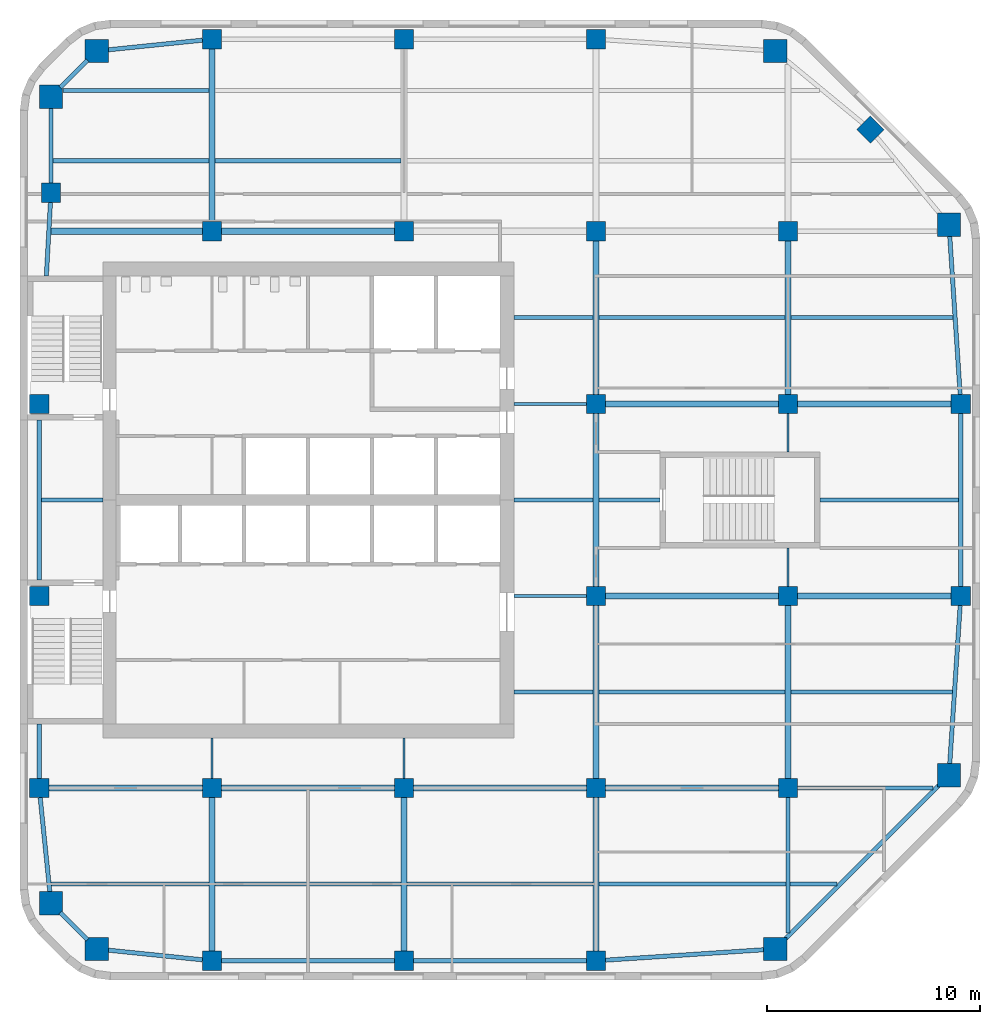
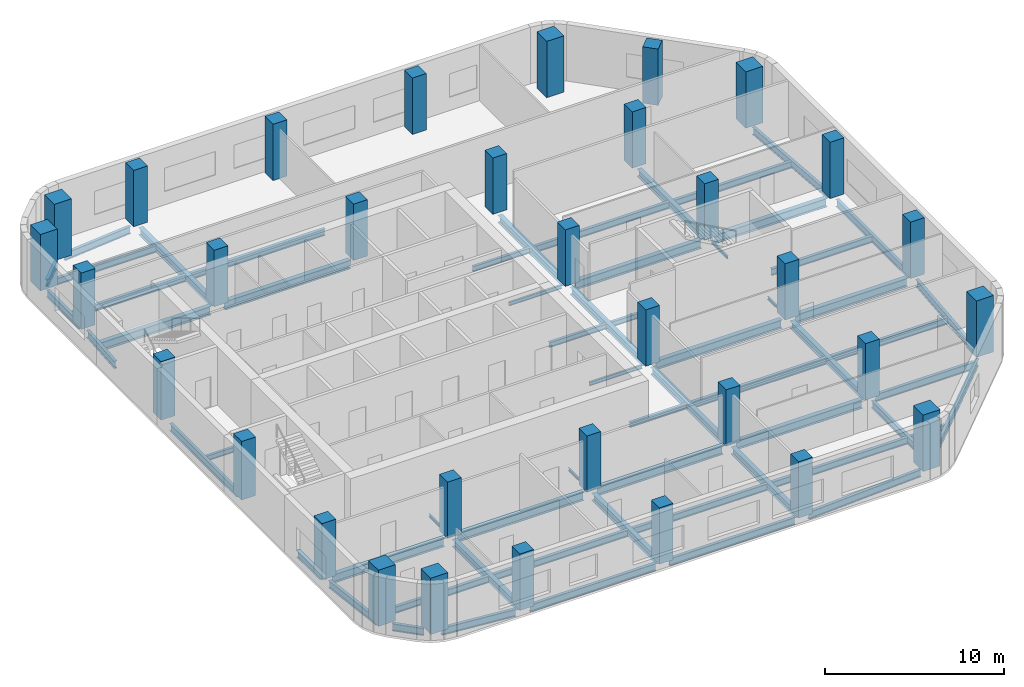
# One storey, part 1 of 8: 61 beams, 33 columns.
"""IFC4 building model written with IfcOpenShell, lengths in metres."""

from ifc_helpers import new_model, si_unit, direction, frame, origin, origin_2d, place, context, subcontext, project, spatial, rectangle, i_section, extrude, material, material_profile, profile_set, type_object, element, save


model = new_model("IFC4")

# Units and contexts
model_context = context("Model", 3, precision=1e-05, world=origin(), true_north=direction((0.0, 1.0)))
body_context = subcontext(model_context, "Body", "Model", "MODEL_VIEW")
ifc_project = project(units=[si_unit("LENGTHUNIT", "METRE"), si_unit("AREAUNIT", "SQUARE_METRE"), si_unit("VOLUMEUNIT", "CUBIC_METRE"), si_unit("PLANEANGLEUNIT", "RADIAN"), si_unit("MASSUNIT", "GRAM", prefix="KILO")], contexts=[model_context])

# Site, building, storey
site_placement = place(None, origin())
site = spatial("IfcSite", under=ifc_project, at=site_placement, CompositionType="ELEMENT")
building_placement = place(site_placement, origin())
building = spatial("IfcBuilding", under=site, at=building_placement, Name="Cinnabar Reach Civic Tower", CompositionType="ELEMENT")
storey_placement = place(building_placement, frame((0.0, 0.0, 181.0)))
storey = spatial("IfcBuildingStorey", under=building, at=storey_placement, Name="L43", CompositionType="ELEMENT", Elevation=181.0)

# Columns
ifc_material_1 = material(Name="Concrete C80", Category="concrete")
ifc_material_profile_1 = material_profile(ifc_material_1, rectangle(XDim=1.1, YDim=1.1, at=origin_2d()), Name="RC1100")
ifc_profile_set_1 = profile_set([ifc_material_profile_1], Name="Concrete C80")
column_type_1 = type_object("IfcColumnType", Name="RC1100 column R 240", PredefinedType="COLUMN", material=ifc_profile_set_1)
for number, where, z_axis, x_axis, name in (
    (1, (3.6019, 10.4531, 0.0), (0.0, 0.0, 1.0), (1.0, 0.0, 0.0), "Column T1-Z3-CC0"),
    (2, (35.3981, 10.4531, 0.0), (0.0, 0.0, 1.0), (1.0, 0.0, 0.0), "Column T1-Z3-CC1"),
    (3, (43.5469, 18.6019, 0.0), (0.0, 0.0, 1.0), (1.0, 0.0, 0.0), "Column T1-Z3-CC2"),
    (4, (43.5469, 44.3981, 0.0), (0.0, 0.0, 1.0), (1.0, 0.0, 0.0), "Column T1-Z3-CC3"),
    (5, (35.3981, 52.5469, 0.0), (0.0, 0.0, 1.0), (1.0, 0.0, 0.0), "Column T1-Z3-CC4"),
    (6, (3.6019, 52.5469, 0.0), (0.0, 0.0, 1.0), (1.0, 0.0, 0.0), "Column T1-Z3-CC5"),
    (7, (1.4531, 50.3981, 0.0), (0.0, 0.0, 1.0), (1.0, 0.0, 0.0), "Column T1-Z3-CC6"),
    (8, (1.4531, 12.6019, 0.0), (0.0, 0.0, 1.0), (1.0, 0.0, 0.0), "Column T1-Z3-CC7"),
):
    element("IfcColumn", number, at=place(storey_placement, frame(where, z_axis=z_axis, x_axis=x_axis)), inside=storey, type_object=column_type_1, Name=name, PredefinedType="COLUMN", context=body_context, shape_type="SweptSolid", body=[
        extrude(rectangle(XDim=1.1, YDim=1.1, at=origin_2d()), origin(), (0.0, 0.0, 1.0), 3.85),
    ])
ifc_material_2 = material(Name="Concrete C70", Category="concrete")
ifc_material_profile_2 = material_profile(ifc_material_2, rectangle(XDim=0.9, YDim=0.9, at=origin_2d()), Name="RC900")
ifc_profile_set_2 = profile_set([ifc_material_profile_2], Name="Concrete C70")
column_type_2 = type_object("IfcColumnType", Name="RC900 column R 240", PredefinedType="COLUMN", material=ifc_profile_set_2)
for number, where, z_axis, x_axis, name in (
    (9, (9.0, 9.9, 0.0), (0.0, 0.0, 1.0), (1.0, 0.0, 0.0), "Column T1-Z3-F0-1"),
    (10, (18.0, 9.9, 0.0), (0.0, 0.0, 1.0), (1.0, 0.0, 0.0), "Column T1-Z3-F0-2"),
    (11, (27.0, 9.9, 0.0), (0.0, 0.0, 1.0), (1.0, 0.0, 0.0), "Column T1-Z3-F0-3"),
    (12, (44.1, 27.0, 0.0), (0.0, 0.0, 1.0), (1.0, 0.0, 0.0), "Column T1-Z3-F2-3"),
    (13, (44.1, 36.0, 0.0), (0.0, 0.0, 1.0), (1.0, 0.0, 0.0), "Column T1-Z3-F2-4"),
    (14, (39.8636, 48.8636, 0.0), (0.0, 0.0, 1.0), (0.707106781187, 0.707106781187, 0.0), "Column T1-Z3-F3-M"),
    (15, (9.0, 53.1, 0.0), (0.0, 0.0, 1.0), (1.0, 0.0, 0.0), "Column T1-Z3-F4-1"),
    (16, (18.0, 53.1, 0.0), (0.0, 0.0, 1.0), (1.0, 0.0, 0.0), "Column T1-Z3-F4-2"),
    (17, (27.0, 53.1, 0.0), (0.0, 0.0, 1.0), (1.0, 0.0, 0.0), "Column T1-Z3-F4-3"),
    (18, (0.9, 18.0, 0.0), (0.0, 0.0, 1.0), (1.0, 0.0, 0.0), "Column T1-Z3-F6-2"),
):
    element("IfcColumn", number, at=place(storey_placement, frame(where, z_axis=z_axis, x_axis=x_axis)), inside=storey, type_object=column_type_2, Name=name, PredefinedType="COLUMN", context=body_context, shape_type="SweptSolid", body=[
        extrude(rectangle(XDim=0.9, YDim=0.9, at=origin_2d()), origin(), (0.0, 0.0, 1.0), 3.85),
    ])
for number, where, z_axis, x_axis, name in (
    (19, (0.9, 27.0, 0.0), (0.0, 0.0, 1.0), (1.0, 0.0, 0.0), "Column T1-Z3-F6-3"),
    (20, (0.9, 36.0, 0.0), (0.0, 0.0, 1.0), (1.0, 0.0, 0.0), "Column T1-Z3-F6-4"),
):
    element("IfcColumn", number, at=place(storey_placement, frame(where, z_axis=z_axis, x_axis=x_axis)), inside=storey, type_object=column_type_2, Name=name, PredefinedType="COLUMN", context=body_context, shape_type="SweptSolid", body=[
        extrude(rectangle(XDim=0.9, YDim=0.9, at=origin_2d()), origin(), (0.0, 0.0, 1.0), 4.0),
    ])
for number, where, z_axis, x_axis, name in (
    (21, (1.4531, 45.8981, 0.0), (0.0, 0.0, 1.0), (1.0, 0.0, 0.0), "Column T1-Z3-F6-5"),
    (22, (9.0, 18.0, 0.0), (0.0, 0.0, 1.0), (1.0, 0.0, 0.0), "Column T1-Z3-I9_18"),
    (23, (9.0, 44.1, 0.0), (0.0, 0.0, 1.0), (1.0, 0.0, 0.0), "Column T1-Z3-I9_45"),
    (24, (18.0, 18.0, 0.0), (0.0, 0.0, 1.0), (1.0, 0.0, 0.0), "Column T1-Z3-I18_18"),
    (25, (18.0, 44.1, 0.0), (0.0, 0.0, 1.0), (1.0, 0.0, 0.0), "Column T1-Z3-I18_45"),
    (26, (27.0, 18.0, 0.0), (0.0, 0.0, 1.0), (1.0, 0.0, 0.0), "Column T1-Z3-I27_18"),
    (27, (27.0, 27.0, 0.0), (0.0, 0.0, 1.0), (1.0, 0.0, 0.0), "Column T1-Z3-I27_27"),
    (28, (27.0, 36.0, 0.0), (0.0, 0.0, 1.0), (1.0, 0.0, 0.0), "Column T1-Z3-I27_36"),
    (29, (27.0, 44.1, 0.0), (0.0, 0.0, 1.0), (1.0, 0.0, 0.0), "Column T1-Z3-I27_45"),
    (30, (36.0, 18.0, 0.0), (0.0, 0.0, 1.0), (1.0, 0.0, 0.0), "Column T1-Z3-I36_18"),
    (31, (36.0, 27.0, 0.0), (0.0, 0.0, 1.0), (1.0, 0.0, 0.0), "Column T1-Z3-I36_27"),
    (32, (36.0, 36.0, 0.0), (0.0, 0.0, 1.0), (1.0, 0.0, 0.0), "Column T1-Z3-I36_36"),
    (33, (36.0, 44.1, 0.0), (0.0, 0.0, 1.0), (1.0, 0.0, 0.0), "Column T1-Z3-I36_45"),
):
    element("IfcColumn", number, at=place(storey_placement, frame(where, z_axis=z_axis, x_axis=x_axis)), inside=storey, type_object=column_type_2, Name=name, PredefinedType="COLUMN", context=body_context, shape_type="SweptSolid", body=[
        extrude(rectangle(XDim=0.9, YDim=0.9, at=origin_2d()), origin(), (0.0, 0.0, 1.0), 3.85),
    ])

# Beams
ifc_material_3 = material(Name="Steel Q355B", Category="steel")
ifc_material_profile_3 = material_profile(ifc_material_3, i_section(OverallWidth=0.3, OverallDepth=0.488, WebThickness=0.011, FlangeThickness=0.018, FilletRadius=0.016, at=origin_2d()), Name="HM488x300x11x18")
ifc_profile_set_3 = profile_set([ifc_material_profile_3], Name="Steel Q355B")
beam_type_1 = type_object("IfcBeamType", Name="HM488x300x11x18 beam R 180", PredefinedType="BEAM", material=ifc_profile_set_3)
beam_1_placement = place(storey_placement, frame((9.0, 10.352, -0.394), z_axis=(0.0, 1.0, 0.0), x_axis=(-1.0, 0.0, 0.0)))
element("IfcBeam", 34, at=beam_1_placement, inside=storey, type_object=beam_type_1, Name="Girder T1 L43 1", PredefinedType="BEAM", context=body_context, shape_type="SweptSolid", body=[
    extrude(i_section(OverallWidth=0.3, OverallDepth=0.488, WebThickness=0.011, FlangeThickness=0.018, FilletRadius=0.016, at=origin_2d()), origin(), (0.0, 0.0, 1.0), 7.196),
])
beam_2_placement = place(storey_placement, frame((9.0, 44.552, -0.394), z_axis=(0.0, 1.0, 0.0), x_axis=(-1.0, 0.0, 0.0)))
element("IfcBeam", 35, at=beam_2_placement, inside=storey, type_object=beam_type_1, Name="Girder T1 L43 3", PredefinedType="BEAM", context=body_context, shape_type="SweptSolid", body=[
    extrude(i_section(OverallWidth=0.3, OverallDepth=0.488, WebThickness=0.011, FlangeThickness=0.018, FilletRadius=0.016, at=origin_2d()), origin(), (0.0, 0.0, 1.0), 8.096),
])
for number, where, z_axis, x_axis, name in (
    (36, (18.0, 10.352, -0.394), (0.0, 1.0, 0.0), (-1.0, 0.0, 0.0), "Girder T1 L43 4"),
    (37, (27.0, 10.352, -0.394), (0.0, 1.0, 0.0), (-1.0, 0.0, 0.0), "Girder T1 L43 7"),
):
    element("IfcBeam", number, at=place(storey_placement, frame(where, z_axis=z_axis, x_axis=x_axis)), inside=storey, type_object=beam_type_1, Name=name, PredefinedType="BEAM", context=body_context, shape_type="SweptSolid", body=[
        extrude(i_section(OverallWidth=0.3, OverallDepth=0.488, WebThickness=0.011, FlangeThickness=0.018, FilletRadius=0.016, at=origin_2d()), origin(), (0.0, 0.0, 1.0), 7.196),
    ])
for number, where, z_axis, x_axis, name in (
    (38, (27.0, 18.452, -0.394), (0.0, 1.0, 0.0), (-1.0, 0.0, 0.0), "Girder T1 L43 8"),
    (39, (27.0, 27.452, -0.394), (0.0, 1.0, 0.0), (-1.0, 0.0, 0.0), "Girder T1 L43 9"),
):
    element("IfcBeam", number, at=place(storey_placement, frame(where, z_axis=z_axis, x_axis=x_axis)), inside=storey, type_object=beam_type_1, Name=name, PredefinedType="BEAM", context=body_context, shape_type="SweptSolid", body=[
        extrude(i_section(OverallWidth=0.3, OverallDepth=0.488, WebThickness=0.011, FlangeThickness=0.018, FilletRadius=0.016, at=origin_2d()), origin(), (0.0, 0.0, 1.0), 8.096),
    ])
beam_3_placement = place(storey_placement, frame((27.0, 36.452, -0.394), z_axis=(0.0, 1.0, 0.0), x_axis=(-1.0, 0.0, 0.0)))
element("IfcBeam", 40, at=beam_3_placement, inside=storey, type_object=beam_type_1, Name="Girder T1 L43 10", PredefinedType="BEAM", context=body_context, shape_type="SweptSolid", body=[
    extrude(i_section(OverallWidth=0.3, OverallDepth=0.488, WebThickness=0.011, FlangeThickness=0.018, FilletRadius=0.016, at=origin_2d()), origin(), (0.0, 0.0, 1.0), 7.196),
])
beam_4_placement = place(storey_placement, frame((36.0, 18.452, -0.394), z_axis=(0.0, 1.0, 0.0), x_axis=(-1.0, 0.0, 0.0)))
element("IfcBeam", 41, at=beam_4_placement, inside=storey, type_object=beam_type_1, Name="Girder T1 L43 13", PredefinedType="BEAM", context=body_context, shape_type="SweptSolid", body=[
    extrude(i_section(OverallWidth=0.3, OverallDepth=0.488, WebThickness=0.011, FlangeThickness=0.018, FilletRadius=0.016, at=origin_2d()), origin(), (0.0, 0.0, 1.0), 8.096),
])
beam_5_placement = place(storey_placement, frame((36.0, 36.452, -0.394), z_axis=(0.0, 1.0, 0.0), x_axis=(-1.0, 0.0, 0.0)))
element("IfcBeam", 42, at=beam_5_placement, inside=storey, type_object=beam_type_1, Name="Girder T1 L43 16", PredefinedType="BEAM", context=body_context, shape_type="SweptSolid", body=[
    extrude(i_section(OverallWidth=0.3, OverallDepth=0.488, WebThickness=0.011, FlangeThickness=0.018, FilletRadius=0.016, at=origin_2d()), origin(), (0.0, 0.0, 1.0), 7.196),
])
ifc_material_profile_4 = material_profile(ifc_material_3, i_section(OverallWidth=0.3, OverallDepth=0.588, WebThickness=0.012, FlangeThickness=0.02, FilletRadius=0.016, at=origin_2d()), Name="HM588x300x12x20")
ifc_profile_set_4 = profile_set([ifc_material_profile_4], Name="Steel Q355B")
beam_type_2 = type_object("IfcBeamType", Name="HM588x300x12x20 beam R 180", PredefinedType="BEAM", material=ifc_profile_set_4)
beam_6_placement = place(storey_placement, frame((1.352, 18.0, -0.444), z_axis=(1.0, 0.0, 0.0), x_axis=(0.0, 1.0, 0.0)))
element("IfcBeam", 43, at=beam_6_placement, inside=storey, type_object=beam_type_2, Name="Girder T1 L43 1", PredefinedType="BEAM", context=body_context, shape_type="SweptSolid", body=[
    extrude(i_section(OverallWidth=0.3, OverallDepth=0.588, WebThickness=0.012, FlangeThickness=0.02, FilletRadius=0.016, at=origin_2d()), origin(), (0.0, 0.0, 1.0), 7.196),
])
for number, where, z_axis, x_axis, name in (
    (44, (9.452, 18.0, -0.444), (1.0, 0.0, 0.0), (0.0, 1.0, 0.0), "Girder T1 L43 2"),
    (45, (18.452, 18.0, -0.444), (1.0, 0.0, 0.0), (0.0, 1.0, 0.0), "Girder T1 L43 3"),
    (46, (27.452, 18.0, -0.444), (1.0, 0.0, 0.0), (0.0, 1.0, 0.0), "Girder T1 L43 4"),
    (47, (27.452, 27.0, -0.444), (1.0, 0.0, 0.0), (0.0, 1.0, 0.0), "Girder T1 L43 7"),
):
    element("IfcBeam", number, at=place(storey_placement, frame(where, z_axis=z_axis, x_axis=x_axis)), inside=storey, type_object=beam_type_2, Name=name, PredefinedType="BEAM", context=body_context, shape_type="SweptSolid", body=[
        extrude(i_section(OverallWidth=0.3, OverallDepth=0.588, WebThickness=0.012, FlangeThickness=0.02, FilletRadius=0.016, at=origin_2d()), origin(), (0.0, 0.0, 1.0), 8.096),
    ])
beam_7_placement = place(storey_placement, frame((36.452, 27.0, -0.444), z_axis=(1.0, 0.0, 0.0), x_axis=(0.0, 1.0, 0.0)))
element("IfcBeam", 48, at=beam_7_placement, inside=storey, type_object=beam_type_2, Name="Girder T1 L43 8", PredefinedType="BEAM", context=body_context, shape_type="SweptSolid", body=[
    extrude(i_section(OverallWidth=0.3, OverallDepth=0.588, WebThickness=0.012, FlangeThickness=0.02, FilletRadius=0.016, at=origin_2d()), origin(), (0.0, 0.0, 1.0), 7.196),
])
beam_8_placement = place(storey_placement, frame((27.452, 36.0, -0.444), z_axis=(1.0, 0.0, 0.0), x_axis=(0.0, 1.0, 0.0)))
element("IfcBeam", 49, at=beam_8_placement, inside=storey, type_object=beam_type_2, Name="Girder T1 L43 10", PredefinedType="BEAM", context=body_context, shape_type="SweptSolid", body=[
    extrude(i_section(OverallWidth=0.3, OverallDepth=0.588, WebThickness=0.012, FlangeThickness=0.02, FilletRadius=0.016, at=origin_2d()), origin(), (0.0, 0.0, 1.0), 8.096),
])
beam_9_placement = place(storey_placement, frame((36.452, 36.0, -0.444), z_axis=(1.0, 0.0, 0.0), x_axis=(0.0, 1.0, 0.0)))
element("IfcBeam", 50, at=beam_9_placement, inside=storey, type_object=beam_type_2, Name="Girder T1 L43 11", PredefinedType="BEAM", context=body_context, shape_type="SweptSolid", body=[
    extrude(i_section(OverallWidth=0.3, OverallDepth=0.588, WebThickness=0.012, FlangeThickness=0.02, FilletRadius=0.016, at=origin_2d()), origin(), (0.0, 0.0, 1.0), 7.196),
])
beam_10_placement = place(storey_placement, frame((1.4548, 44.1, -0.444), z_axis=(1.0, 0.0, 0.0), x_axis=(0.0, 1.0, 0.0)))
element("IfcBeam", 51, at=beam_10_placement, inside=storey, type_object=beam_type_2, Name="Girder T1 L43 12", PredefinedType="BEAM", context=body_context, shape_type="SweptSolid", body=[
    extrude(i_section(OverallWidth=0.3, OverallDepth=0.588, WebThickness=0.012, FlangeThickness=0.02, FilletRadius=0.016, at=origin_2d()), origin(), (0.0, 0.0, 1.0), 7.0932),
])
beam_11_placement = place(storey_placement, frame((9.452, 44.1, -0.444), z_axis=(1.0, 0.0, 0.0), x_axis=(0.0, 1.0, 0.0)))
element("IfcBeam", 52, at=beam_11_placement, inside=storey, type_object=beam_type_2, Name="Girder T1 L43 13", PredefinedType="BEAM", context=body_context, shape_type="SweptSolid", body=[
    extrude(i_section(OverallWidth=0.3, OverallDepth=0.588, WebThickness=0.012, FlangeThickness=0.02, FilletRadius=0.016, at=origin_2d()), origin(), (0.0, 0.0, 1.0), 8.096),
])
ifc_material_profile_5 = material_profile(ifc_material_3, i_section(OverallWidth=0.099, OverallDepth=0.198, WebThickness=0.0045, FlangeThickness=0.007, FilletRadius=0.013, at=origin_2d()), Name="HN200x100x5.5x8")
ifc_profile_set_5 = profile_set([ifc_material_profile_5], Name="Steel Q355B")
beam_type_3 = type_object("IfcBeamType", Name="HN200x100x5.5x8 beam R 180", PredefinedType="BEAM", material=ifc_profile_set_5)
for number, where, z_axis, x_axis, name in (
    (53, (9.0, 18.452, -0.249), (0.0, 1.0, 0.0), (-1.0, 0.0, 0.0), "Girder T1 L43 2"),
    (54, (18.0, 18.452, -0.249), (0.0, 1.0, 0.0), (-1.0, 0.0, 0.0), "Girder T1 L43 5"),
):
    element("IfcBeam", number, at=place(storey_placement, frame(where, z_axis=z_axis, x_axis=x_axis)), inside=storey, type_object=beam_type_3, Name=name, PredefinedType="BEAM", context=body_context, shape_type="SweptSolid", body=[
        extrude(i_section(OverallWidth=0.099, OverallDepth=0.198, WebThickness=0.0045, FlangeThickness=0.007, FilletRadius=0.013, at=origin_2d()), origin(), (0.0, 0.0, 1.0), 1.896),
    ])
for number, where, z_axis, x_axis, name in (
    (55, (36.0, 27.452, -0.249), (0.0, 1.0, 0.0), (-1.0, 0.0, 0.0), "Girder T1 L43 14"),
    (56, (36.0, 33.752, -0.249), (0.0, 1.0, 0.0), (-1.0, 0.0, 0.0), "Girder T1 L43 15"),
):
    element("IfcBeam", number, at=place(storey_placement, frame(where, z_axis=z_axis, x_axis=x_axis)), inside=storey, type_object=beam_type_3, Name=name, PredefinedType="BEAM", context=body_context, shape_type="SweptSolid", body=[
        extrude(i_section(OverallWidth=0.099, OverallDepth=0.198, WebThickness=0.0045, FlangeThickness=0.007, FilletRadius=0.013, at=origin_2d()), origin(), (0.0, 0.0, 1.0), 1.796),
    ])
ifc_material_profile_6 = material_profile(ifc_material_3, i_section(OverallWidth=0.124, OverallDepth=0.248, WebThickness=0.005, FlangeThickness=0.008, FilletRadius=0.013, at=origin_2d()), Name="HN250x125x6x9")
ifc_profile_set_6 = profile_set([ifc_material_profile_6], Name="Steel Q355B")
beam_type_4 = type_object("IfcBeamType", Name="HN250x125x6x9 beam R 180", PredefinedType="BEAM", material=ifc_profile_set_6)
for number, where, z_axis, x_axis, name in (
    (57, (23.152, 27.0, -0.274), (1.0, 0.0, 0.0), (0.0, 1.0, 0.0), "Girder T1 L43 6"),
    (58, (23.152, 36.0, -0.274), (1.0, 0.0, 0.0), (0.0, 1.0, 0.0), "Girder T1 L43 9"),
):
    element("IfcBeam", number, at=place(storey_placement, frame(where, z_axis=z_axis, x_axis=x_axis)), inside=storey, type_object=beam_type_4, Name=name, PredefinedType="BEAM", context=body_context, shape_type="SweptSolid", body=[
        extrude(i_section(OverallWidth=0.124, OverallDepth=0.248, WebThickness=0.005, FlangeThickness=0.008, FilletRadius=0.013, at=origin_2d()), origin(), (0.0, 0.0, 1.0), 3.396),
    ])
ifc_material_profile_7 = material_profile(ifc_material_3, i_section(OverallWidth=0.175, OverallDepth=0.35, WebThickness=0.007, FlangeThickness=0.011, FilletRadius=0.013, at=origin_2d()), Name="HN350x175x7x11")
ifc_profile_set_7 = profile_set([ifc_material_profile_7], Name="Steel Q355B")
beam_type_5 = type_object("IfcBeamType", Name="HN350x175x7x11 beam R 180", PredefinedType="BEAM", material=ifc_profile_set_7)
beam_12_placement = place(storey_placement, frame((36.102, 13.5, -0.325), z_axis=(1.0, 0.0, 0.0), x_axis=(0.0, 1.0, 0.0)))
element("IfcBeam", 59, at=beam_12_placement, inside=storey, type_object=beam_type_5, Name="Secondary beam T1 L43 5", PredefinedType="BEAM", context=body_context, shape_type="SweptSolid", body=[
    extrude(i_section(OverallWidth=0.175, OverallDepth=0.35, WebThickness=0.007, FlangeThickness=0.011, FilletRadius=0.013, at=origin_2d()), origin(), (0.0, 0.0, 1.0), 2.1988),
])
beam_13_placement = place(storey_placement, frame((23.152, 22.5, -0.325), z_axis=(1.0, 0.0, 0.0), x_axis=(0.0, 1.0, 0.0)))
element("IfcBeam", 60, at=beam_13_placement, inside=storey, type_object=beam_type_5, Name="Secondary beam T1 L43 6", PredefinedType="BEAM", context=body_context, shape_type="SweptSolid", body=[
    extrude(i_section(OverallWidth=0.175, OverallDepth=0.35, WebThickness=0.007, FlangeThickness=0.011, FilletRadius=0.013, at=origin_2d()), origin(), (0.0, 0.0, 1.0), 3.696),
])
beam_14_placement = place(storey_placement, frame((1.002, 31.5, -0.325), z_axis=(1.0, 0.0, 0.0), x_axis=(0.0, 1.0, 0.0)))
element("IfcBeam", 61, at=beam_14_placement, inside=storey, type_object=beam_type_5, Name="Secondary beam T1 L43 9", PredefinedType="BEAM", context=body_context, shape_type="SweptSolid", body=[
    extrude(i_section(OverallWidth=0.175, OverallDepth=0.35, WebThickness=0.007, FlangeThickness=0.011, FilletRadius=0.013, at=origin_2d()), origin(), (0.0, 0.0, 1.0), 2.896),
])
beam_15_placement = place(storey_placement, frame((23.152, 31.5, -0.325), z_axis=(1.0, 0.0, 0.0), x_axis=(0.0, 1.0, 0.0)))
element("IfcBeam", 62, at=beam_15_placement, inside=storey, type_object=beam_type_5, Name="Secondary beam T1 L43 10", PredefinedType="BEAM", context=body_context, shape_type="SweptSolid", body=[
    extrude(i_section(OverallWidth=0.175, OverallDepth=0.35, WebThickness=0.007, FlangeThickness=0.011, FilletRadius=0.013, at=origin_2d()), origin(), (0.0, 0.0, 1.0), 3.696),
])
beam_16_placement = place(storey_placement, frame((27.152, 31.5, -0.325), z_axis=(1.0, 0.0, 0.0), x_axis=(0.0, 1.0, 0.0)))
element("IfcBeam", 63, at=beam_16_placement, inside=storey, type_object=beam_type_5, Name="Secondary beam T1 L43 11", PredefinedType="BEAM", context=body_context, shape_type="SweptSolid", body=[
    extrude(i_section(OverallWidth=0.175, OverallDepth=0.35, WebThickness=0.007, FlangeThickness=0.011, FilletRadius=0.013, at=origin_2d()), origin(), (0.0, 0.0, 1.0), 2.846),
])
beam_17_placement = place(storey_placement, frame((23.152, 40.05, -0.325), z_axis=(1.0, 0.0, 0.0), x_axis=(0.0, 1.0, 0.0)))
element("IfcBeam", 64, at=beam_17_placement, inside=storey, type_object=beam_type_5, Name="Secondary beam T1 L43 13", PredefinedType="BEAM", context=body_context, shape_type="SweptSolid", body=[
    extrude(i_section(OverallWidth=0.175, OverallDepth=0.35, WebThickness=0.007, FlangeThickness=0.011, FilletRadius=0.013, at=origin_2d()), origin(), (0.0, 0.0, 1.0), 3.696),
])
ifc_material_profile_8 = material_profile(ifc_material_3, i_section(OverallWidth=0.2, OverallDepth=0.45, WebThickness=0.009, FlangeThickness=0.014, FilletRadius=0.016, at=origin_2d()), Name="HN450x200x9x14")
ifc_profile_set_8 = profile_set([ifc_material_profile_8], Name="Steel Q355B")
beam_type_6 = type_object("IfcBeamType", Name="HN450x200x9x14 beam R 180", PredefinedType="BEAM", material=ifc_profile_set_8)
beam_18_placement = place(storey_placement, frame((1.4636, 13.5, -0.375), z_axis=(1.0, 0.0, 0.0), x_axis=(0.0, 1.0, 0.0)))
element("IfcBeam", 65, at=beam_18_placement, inside=storey, type_object=beam_type_6, Name="Secondary beam T1 L43 1", PredefinedType="BEAM", context=body_context, shape_type="SweptSolid", body=[
    extrude(i_section(OverallWidth=0.2, OverallDepth=0.45, WebThickness=0.009, FlangeThickness=0.014, FilletRadius=0.016, at=origin_2d()), origin(), (0.0, 0.0, 1.0), 7.3844),
])
for number, where, z_axis, x_axis, name in (
    (66, (9.152, 13.5, -0.375), (1.0, 0.0, 0.0), (0.0, 1.0, 0.0), "Secondary beam T1 L43 2"),
    (67, (18.152, 13.5, -0.375), (1.0, 0.0, 0.0), (0.0, 1.0, 0.0), "Secondary beam T1 L43 3"),
):
    element("IfcBeam", number, at=place(storey_placement, frame(where, z_axis=z_axis, x_axis=x_axis)), inside=storey, type_object=beam_type_6, Name=name, PredefinedType="BEAM", context=body_context, shape_type="SweptSolid", body=[
        extrude(i_section(OverallWidth=0.2, OverallDepth=0.45, WebThickness=0.009, FlangeThickness=0.014, FilletRadius=0.016, at=origin_2d()), origin(), (0.0, 0.0, 1.0), 8.696),
    ])
beam_19_placement = place(storey_placement, frame((27.152, 13.5, -0.375), z_axis=(1.0, 0.0, 0.0), x_axis=(0.0, 1.0, 0.0)))
element("IfcBeam", 68, at=beam_19_placement, inside=storey, type_object=beam_type_6, Name="Secondary beam T1 L43 4", PredefinedType="BEAM", context=body_context, shape_type="SweptSolid", body=[
    extrude(i_section(OverallWidth=0.2, OverallDepth=0.45, WebThickness=0.009, FlangeThickness=0.014, FilletRadius=0.016, at=origin_2d()), origin(), (0.0, 0.0, 1.0), 8.746),
])
beam_20_placement = place(storey_placement, frame((27.152, 22.5, -0.375), z_axis=(1.0, 0.0, 0.0), x_axis=(0.0, 1.0, 0.0)))
element("IfcBeam", 69, at=beam_20_placement, inside=storey, type_object=beam_type_6, Name="Secondary beam T1 L43 7", PredefinedType="BEAM", context=body_context, shape_type="SweptSolid", body=[
    extrude(i_section(OverallWidth=0.2, OverallDepth=0.45, WebThickness=0.009, FlangeThickness=0.014, FilletRadius=0.016, at=origin_2d()), origin(), (0.0, 0.0, 1.0), 8.696),
])
beam_21_placement = place(storey_placement, frame((36.152, 22.5, -0.375), z_axis=(1.0, 0.0, 0.0), x_axis=(0.0, 1.0, 0.0)))
element("IfcBeam", 70, at=beam_21_placement, inside=storey, type_object=beam_type_6, Name="Secondary beam T1 L43 8", PredefinedType="BEAM", context=body_context, shape_type="SweptSolid", body=[
    extrude(i_section(OverallWidth=0.2, OverallDepth=0.45, WebThickness=0.009, FlangeThickness=0.014, FilletRadius=0.016, at=origin_2d()), origin(), (0.0, 0.0, 1.0), 7.5494),
])
beam_22_placement = place(storey_placement, frame((37.502, 31.5, -0.375), z_axis=(1.0, 0.0, 0.0), x_axis=(0.0, 1.0, 0.0)))
element("IfcBeam", 71, at=beam_22_placement, inside=storey, type_object=beam_type_6, Name="Secondary beam T1 L43 12", PredefinedType="BEAM", context=body_context, shape_type="SweptSolid", body=[
    extrude(i_section(OverallWidth=0.2, OverallDepth=0.45, WebThickness=0.009, FlangeThickness=0.014, FilletRadius=0.016, at=origin_2d()), origin(), (0.0, 0.0, 1.0), 6.496),
])
beam_23_placement = place(storey_placement, frame((27.152, 40.05, -0.375), z_axis=(1.0, 0.0, 0.0), x_axis=(0.0, 1.0, 0.0)))
element("IfcBeam", 72, at=beam_23_placement, inside=storey, type_object=beam_type_6, Name="Secondary beam T1 L43 14", PredefinedType="BEAM", context=body_context, shape_type="SweptSolid", body=[
    extrude(i_section(OverallWidth=0.2, OverallDepth=0.45, WebThickness=0.009, FlangeThickness=0.014, FilletRadius=0.016, at=origin_2d()), origin(), (0.0, 0.0, 1.0), 8.696),
])
beam_24_placement = place(storey_placement, frame((36.152, 40.05, -0.375), z_axis=(1.0, 0.0, 0.0), x_axis=(0.0, 1.0, 0.0)))
element("IfcBeam", 73, at=beam_24_placement, inside=storey, type_object=beam_type_6, Name="Secondary beam T1 L43 15", PredefinedType="BEAM", context=body_context, shape_type="SweptSolid", body=[
    extrude(i_section(OverallWidth=0.2, OverallDepth=0.45, WebThickness=0.009, FlangeThickness=0.014, FilletRadius=0.016, at=origin_2d()), origin(), (0.0, 0.0, 1.0), 7.579),
])
beam_25_placement = place(storey_placement, frame((1.5551, 47.4, -0.375), z_axis=(1.0, 0.0, 0.0), x_axis=(0.0, 1.0, 0.0)))
element("IfcBeam", 74, at=beam_25_placement, inside=storey, type_object=beam_type_6, Name="Secondary beam T1 L43 16", PredefinedType="BEAM", context=body_context, shape_type="SweptSolid", body=[
    extrude(i_section(OverallWidth=0.2, OverallDepth=0.45, WebThickness=0.009, FlangeThickness=0.014, FilletRadius=0.016, at=origin_2d()), origin(), (0.0, 0.0, 1.0), 7.2929),
])
beam_26_placement = place(storey_placement, frame((9.152, 47.4, -0.375), z_axis=(1.0, 0.0, 0.0), x_axis=(0.0, 1.0, 0.0)))
element("IfcBeam", 75, at=beam_26_placement, inside=storey, type_object=beam_type_6, Name="Secondary beam T1 L43 17", PredefinedType="BEAM", context=body_context, shape_type="SweptSolid", body=[
    extrude(i_section(OverallWidth=0.2, OverallDepth=0.45, WebThickness=0.009, FlangeThickness=0.014, FilletRadius=0.016, at=origin_2d()), origin(), (0.0, 0.0, 1.0), 8.696),
])
beam_27_placement = place(storey_placement, frame((2.0051, 50.7, -0.375), z_axis=(1.0, 0.0, 0.0), x_axis=(0.0, 1.0, 0.0)))
element("IfcBeam", 76, at=beam_27_placement, inside=storey, type_object=beam_type_6, Name="Secondary beam T1 L43 21", PredefinedType="BEAM", context=body_context, shape_type="SweptSolid", body=[
    extrude(i_section(OverallWidth=0.2, OverallDepth=0.45, WebThickness=0.009, FlangeThickness=0.014, FilletRadius=0.016, at=origin_2d()), origin(), (0.0, 0.0, 1.0), 6.8429),
])
ifc_material_profile_9 = material_profile(ifc_material_3, i_section(OverallWidth=0.2, OverallDepth=0.5, WebThickness=0.01, FlangeThickness=0.016, FilletRadius=0.016, at=origin_2d()), Name="HN500x200x10x16")
ifc_profile_set_9 = profile_set([ifc_material_profile_9], Name="Steel Q355B")
beam_type_7 = type_object("IfcBeamType", Name="HN500x200x10x16 beam R 180", PredefinedType="BEAM", material=ifc_profile_set_9)
beam_28_placement = place(storey_placement, frame((4.0339, 10.4088, -0.4), z_axis=(0.994792272495, -0.101923179821, 0.0), x_axis=(0.101923179821, 0.994792272495, 0.0)))
element("IfcBeam", 77, at=beam_28_placement, inside=storey, type_object=beam_type_7, Name="Edge beam T1 L43 1", PredefinedType="BEAM", context=body_context, shape_type="SweptSolid", body=[
    extrude(i_section(OverallWidth=0.2, OverallDepth=0.5, WebThickness=0.01, FlangeThickness=0.016, FilletRadius=0.016, at=origin_2d()), origin(), (0.0, 0.0, 1.0), 4.5377),
])
for number, where, z_axis, x_axis, name in (
    (78, (9.452, 9.9, -0.4), (1.0, 0.0, 0.0), (0.0, 1.0, 0.0), "Edge beam T1 L43 2"),
    (79, (18.452, 9.9, -0.4), (1.0, 0.0, 0.0), (0.0, 1.0, 0.0), "Edge beam T1 L43 3"),
):
    element("IfcBeam", number, at=place(storey_placement, frame(where, z_axis=z_axis, x_axis=x_axis)), inside=storey, type_object=beam_type_7, Name=name, PredefinedType="BEAM", context=body_context, shape_type="SweptSolid", body=[
        extrude(i_section(OverallWidth=0.2, OverallDepth=0.5, WebThickness=0.01, FlangeThickness=0.016, FilletRadius=0.016, at=origin_2d()), origin(), (0.0, 0.0, 1.0), 8.096),
    ])
beam_29_placement = place(storey_placement, frame((27.452, 9.9298, -0.4), z_axis=(0.99783894477, 0.065707231721, 0.0), x_axis=(-0.065707231721, 0.99783894477, 0.0)))
element("IfcBeam", 80, at=beam_29_placement, inside=storey, type_object=beam_type_7, Name="Edge beam T1 L43 4", PredefinedType="BEAM", context=body_context, shape_type="SweptSolid", body=[
    extrude(i_section(OverallWidth=0.2, OverallDepth=0.5, WebThickness=0.01, FlangeThickness=0.016, FilletRadius=0.016, at=origin_2d()), origin(), (0.0, 0.0, 1.0), 7.5304),
])
beam_30_placement = place(storey_placement, frame((35.8301, 10.8851, -0.4), z_axis=(0.707106781187, 0.707106781187, 0.0), x_axis=(-0.707106781187, 0.707106781187, 0.0)))
element("IfcBeam", 81, at=beam_30_placement, inside=storey, type_object=beam_type_7, Name="Edge beam T1 L43 5", PredefinedType="BEAM", context=body_context, shape_type="SweptSolid", body=[
    extrude(i_section(OverallWidth=0.2, OverallDepth=0.5, WebThickness=0.01, FlangeThickness=0.016, FilletRadius=0.016, at=origin_2d()), origin(), (0.0, 0.0, 1.0), 10.3023),
])
beam_31_placement = place(storey_placement, frame((43.5754, 19.0339, -0.4), z_axis=(0.065707231721, 0.99783894477, 0.0), x_axis=(-0.99783894477, 0.065707231721, 0.0)))
element("IfcBeam", 82, at=beam_31_placement, inside=storey, type_object=beam_type_7, Name="Edge beam T1 L43 6", PredefinedType="BEAM", context=body_context, shape_type="SweptSolid", body=[
    extrude(i_section(OverallWidth=0.2, OverallDepth=0.5, WebThickness=0.01, FlangeThickness=0.016, FilletRadius=0.016, at=origin_2d()), origin(), (0.0, 0.0, 1.0), 7.5304),
])
beam_32_placement = place(storey_placement, frame((44.1, 27.452, -0.4), z_axis=(0.0, 1.0, 0.0), x_axis=(-1.0, 0.0, 0.0)))
element("IfcBeam", 83, at=beam_32_placement, inside=storey, type_object=beam_type_7, Name="Edge beam T1 L43 7", PredefinedType="BEAM", context=body_context, shape_type="SweptSolid", body=[
    extrude(i_section(OverallWidth=0.2, OverallDepth=0.5, WebThickness=0.01, FlangeThickness=0.016, FilletRadius=0.016, at=origin_2d()), origin(), (0.0, 0.0, 1.0), 8.096),
])
beam_33_placement = place(storey_placement, frame((44.0702, 36.452, -0.4), z_axis=(-0.065707231721, 0.99783894477, 0.0), x_axis=(-0.99783894477, -0.065707231721, 0.0)))
element("IfcBeam", 84, at=beam_33_placement, inside=storey, type_object=beam_type_7, Name="Edge beam T1 L43 8", PredefinedType="BEAM", context=body_context, shape_type="SweptSolid", body=[
    extrude(i_section(OverallWidth=0.2, OverallDepth=0.5, WebThickness=0.01, FlangeThickness=0.016, FilletRadius=0.016, at=origin_2d()), origin(), (0.0, 0.0, 1.0), 7.5304),
])
beam_34_placement = place(storey_placement, frame((8.548, 53.0537, -0.4), z_axis=(-0.994792272495, -0.101923179821, 0.0), x_axis=(0.101923179821, -0.994792272495, 0.0)))
element("IfcBeam", 85, at=beam_34_placement, inside=storey, type_object=beam_type_7, Name="Edge beam T1 L43 14", PredefinedType="BEAM", context=body_context, shape_type="SweptSolid", body=[
    extrude(i_section(OverallWidth=0.2, OverallDepth=0.5, WebThickness=0.01, FlangeThickness=0.016, FilletRadius=0.016, at=origin_2d()), origin(), (0.0, 0.0, 1.0), 4.5377),
])
beam_35_placement = place(storey_placement, frame((3.1699, 52.1149, -0.4), z_axis=(-0.707106781187, -0.707106781187, 0.0), x_axis=(0.707106781187, -0.707106781187, 0.0)))
element("IfcBeam", 86, at=beam_35_placement, inside=storey, type_object=beam_type_7, Name="Edge beam T1 L43 15", PredefinedType="BEAM", context=body_context, shape_type="SweptSolid", body=[
    extrude(i_section(OverallWidth=0.2, OverallDepth=0.5, WebThickness=0.01, FlangeThickness=0.016, FilletRadius=0.016, at=origin_2d()), origin(), (0.0, 0.0, 1.0), 1.817),
])
beam_36_placement = place(storey_placement, frame((1.4531, 49.9661, -0.4), z_axis=(0.0, -1.0, 0.0), x_axis=(1.0, 0.0, 0.0)))
element("IfcBeam", 87, at=beam_36_placement, inside=storey, type_object=beam_type_7, Name="Edge beam T1 L43 16", PredefinedType="BEAM", context=body_context, shape_type="SweptSolid", body=[
    extrude(i_section(OverallWidth=0.2, OverallDepth=0.5, WebThickness=0.01, FlangeThickness=0.016, FilletRadius=0.016, at=origin_2d()), origin(), (0.0, 0.0, 1.0), 3.616),
])
beam_37_placement = place(storey_placement, frame((1.4278, 45.4461, -0.4), z_axis=(-0.0557766862, -0.998443268932, 0.0), x_axis=(0.998443268932, -0.0557766862, 0.0)))
element("IfcBeam", 88, at=beam_37_placement, inside=storey, type_object=beam_type_7, Name="Edge beam T1 L43 17", PredefinedType="BEAM", context=body_context, shape_type="SweptSolid", body=[
    extrude(i_section(OverallWidth=0.2, OverallDepth=0.5, WebThickness=0.01, FlangeThickness=0.016, FilletRadius=0.016, at=origin_2d()), origin(), (0.0, 0.0, 1.0), 3.4495),
])
beam_38_placement = place(storey_placement, frame((0.9, 35.248, -0.4), z_axis=(0.0, -1.0, 0.0), x_axis=(1.0, 0.0, 0.0)))
element("IfcBeam", 89, at=beam_38_placement, inside=storey, type_object=beam_type_7, Name="Edge beam T1 L43 18", PredefinedType="BEAM", context=body_context, shape_type="SweptSolid", body=[
    extrude(i_section(OverallWidth=0.2, OverallDepth=0.5, WebThickness=0.01, FlangeThickness=0.016, FilletRadius=0.016, at=origin_2d()), origin(), (0.0, 0.0, 1.0), 7.496),
])
beam_39_placement = place(storey_placement, frame((0.9, 20.998, -0.4), z_axis=(0.0, -1.0, 0.0), x_axis=(1.0, 0.0, 0.0)))
element("IfcBeam", 90, at=beam_39_placement, inside=storey, type_object=beam_type_7, Name="Edge beam T1 L43 19", PredefinedType="BEAM", context=body_context, shape_type="SweptSolid", body=[
    extrude(i_section(OverallWidth=0.2, OverallDepth=0.5, WebThickness=0.01, FlangeThickness=0.016, FilletRadius=0.016, at=origin_2d()), origin(), (0.0, 0.0, 1.0), 2.546),
])
beam_40_placement = place(storey_placement, frame((0.9463, 17.548, -0.4), z_axis=(0.101923179821, -0.994792272495, 0.0), x_axis=(0.994792272495, 0.101923179821, 0.0)))
element("IfcBeam", 91, at=beam_40_placement, inside=storey, type_object=beam_type_7, Name="Edge beam T1 L43 20", PredefinedType="BEAM", context=body_context, shape_type="SweptSolid", body=[
    extrude(i_section(OverallWidth=0.2, OverallDepth=0.5, WebThickness=0.01, FlangeThickness=0.016, FilletRadius=0.016, at=origin_2d()), origin(), (0.0, 0.0, 1.0), 4.5377),
])
beam_41_placement = place(storey_placement, frame((1.8851, 12.1699, -0.4), z_axis=(0.707106781187, -0.707106781187, 0.0), x_axis=(0.707106781187, 0.707106781187, 0.0)))
element("IfcBeam", 92, at=beam_41_placement, inside=storey, type_object=beam_type_7, Name="Edge beam T1 L43 21", PredefinedType="BEAM", context=body_context, shape_type="SweptSolid", body=[
    extrude(i_section(OverallWidth=0.2, OverallDepth=0.5, WebThickness=0.01, FlangeThickness=0.016, FilletRadius=0.016, at=origin_2d()), origin(), (0.0, 0.0, 1.0), 1.817),
])
for number, where, z_axis, x_axis, name in (
    (93, (36.452, 18.0, -0.4), (1.0, 0.0, 0.0), (0.0, 1.0, 0.0), "Girder T1 L43 5"),
    (94, (36.0, 11.1992, -0.4), (0.0, 1.0, 0.0), (-1.0, 0.0, 0.0), "Girder T1 L43 12"),
):
    element("IfcBeam", number, at=place(storey_placement, frame(where, z_axis=z_axis, x_axis=x_axis)), inside=storey, type_object=beam_type_7, Name=name, PredefinedType="BEAM", context=body_context, shape_type="SweptSolid", body=[
        extrude(i_section(OverallWidth=0.2, OverallDepth=0.5, WebThickness=0.01, FlangeThickness=0.016, FilletRadius=0.016, at=origin_2d()), origin(), (0.0, 0.0, 1.0), 6.3488),
    ])

save(model, "model.ifc")
